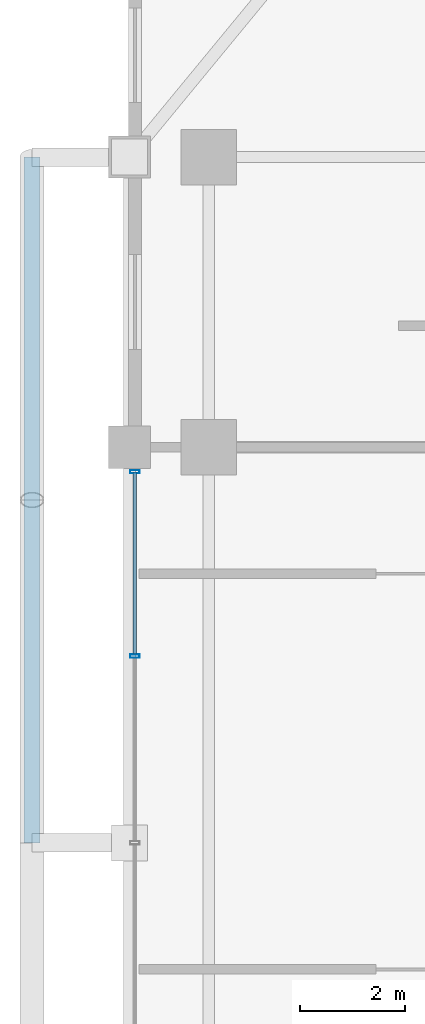
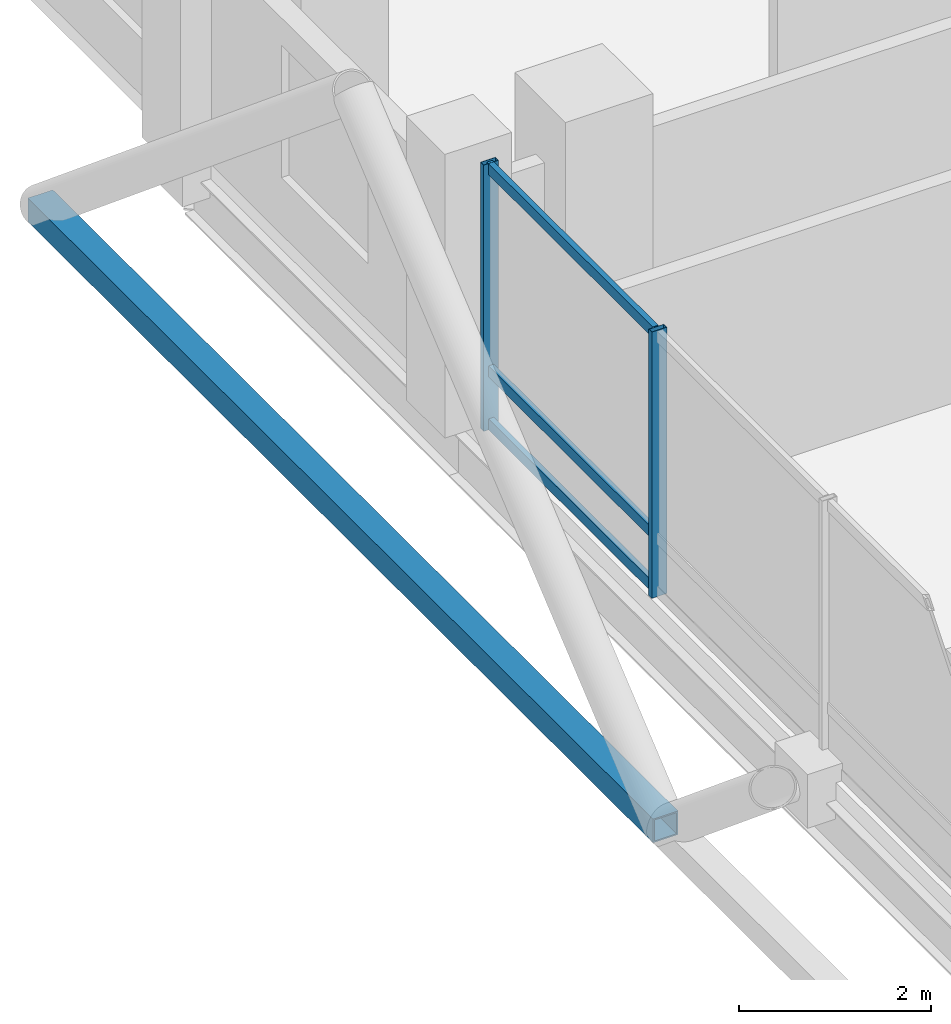
# One storey, part 9 of 26: 6 members, 1 element without a shape of its own.
"""IFC4 building model written with IfcOpenShell, lengths in metres."""

from ifc_helpers import new_model, si_unit, direction, frame, origin, origin_2d, place, context, subcontext, project, spatial, hollow_rectangle, extrude, material, layer, layer_set, material_profile, profile_set, type_object, element, aggregate, save


model = new_model("IFC4")

# Units and contexts
model_context = context("Model", 3, precision=1e-05, world=origin(), true_north=direction((0.0, 1.0)))
body_context = subcontext(model_context, "Body", "Model", "MODEL_VIEW")
ifc_project = project(units=[si_unit("LENGTHUNIT", "METRE"), si_unit("AREAUNIT", "SQUARE_METRE"), si_unit("VOLUMEUNIT", "CUBIC_METRE"), si_unit("PLANEANGLEUNIT", "RADIAN"), si_unit("MASSUNIT", "GRAM", prefix="KILO")], contexts=[model_context])

# Site, building, storey
site_placement = place(None, origin())
site = spatial("IfcSite", under=ifc_project, at=site_placement, CompositionType="ELEMENT")
building_placement = place(site_placement, origin())
building = spatial("IfcBuilding", under=site, at=building_placement, Name="Barlavira Tower and Art Museum", CompositionType="ELEMENT")
storey_placement = place(building_placement, frame((0.0, 0.0, 176.39990234375)))
storey = spatial("IfcBuildingStorey", under=building, at=storey_placement, Name="L45", CompositionType="ELEMENT", Elevation=176.39990234375)

# Curtain wall, members
ifc_material_1 = material(Name="Low-iron coastal laminated glass", Category="glass")
ifc_layer = layer(ifc_material_1, 0.199951171875, Name="Low-iron coastal laminated glass")
ifc_layer_set = layer_set([ifc_layer], Name="Low-iron coastal laminated glass")
curtain_wall_type = type_object("IfcCurtainWallType", Name="Pale-Metal Unitised Curtain Wall Zone 3", PredefinedType="NOTDEFINED", material=ifc_layer_set)
curtain_wall_placement = place(storey_placement, origin())
curtain_wall = element("IfcCurtainWall", 1, at=curtain_wall_placement, inside=storey, type_object=curtain_wall_type, Name="L45 Curtain Wall CW3-L45-W-B3", PredefinedType="NOTDEFINED")
ifc_material_2 = material(Name="Pale anodised aluminium", Category="aluminium")
ifc_material_profile_1 = material_profile(ifc_material_2, hollow_rectangle(XDim=0.06494140625, YDim=0.179931640625, WallThickness=0.00390625, at=origin_2d()), Name="ALU-MULL 65x180x4")
ifc_profile_set_1 = profile_set([ifc_material_profile_1], Name="Pale anodised aluminium")
member_type_1 = type_object("IfcMemberType", Name="Curtain Wall Pale-Metal Mullion 65x180", PredefinedType="MULLION", material=ifc_profile_set_1)
member_1_placement = place(storey_placement, frame((-18.39990234375, 7.034912109375, 0.0), z_axis=(0.0, 0.0, 1.0), x_axis=(0.0, -1.0, 0.0)))
member_1 = element("IfcMember", 2, at=member_1_placement, type_object=member_type_1, Name="CW3-L45-W-B3 Mullion 0", PredefinedType="MULLION", context=body_context, shape_type="SweptSolid", body=[
    extrude(hollow_rectangle(XDim=0.06494140625, YDim=0.179931640625, WallThickness=0.00390625, at=origin_2d()), origin(), (0.0, 0.0, 1.0), 3.380126953125),
])
member_2_placement = place(storey_placement, frame((-18.39990234375, 3.5400390625, 0.0), z_axis=(0.0, 0.0, 1.0), x_axis=(0.0, -1.0, 0.0)))
member_2 = element("IfcMember", 3, at=member_2_placement, type_object=member_type_1, Name="CW3-L45-W-B3 Mullion 1", PredefinedType="MULLION", context=body_context, shape_type="SweptSolid", body=[
    extrude(hollow_rectangle(XDim=0.06494140625, YDim=0.179931640625, WallThickness=0.00390625, at=origin_2d()), origin(), (0.0, 0.0, 1.0), 3.380126953125),
])
ifc_material_profile_2 = material_profile(ifc_material_2, hollow_rectangle(XDim=0.06494140625, YDim=0.139892578125, WallThickness=0.00390625, at=origin_2d()), Name="ALU-TRAN 65x140x4")
ifc_profile_set_2 = profile_set([ifc_material_profile_2], Name="Pale anodised aluminium")
member_type_2 = type_object("IfcMemberType", Name="Curtain Wall Pale-Metal Transom 65x140", PredefinedType="USERDEFINED", material=ifc_profile_set_2)
member_3_placement = place(storey_placement, frame((-18.39990234375, 7.034912109375, 0.070068359375), z_axis=(0.0, -1.0, 0.0), x_axis=(1.0, 0.0, 0.0)))
member_3 = element("IfcMember", 4, at=member_3_placement, type_object=member_type_2, Name="CW3-L45-W-B3 Transom 0.1", ObjectType="TRANSOM", PredefinedType="USERDEFINED", context=body_context, shape_type="SweptSolid", body=[
    extrude(hollow_rectangle(XDim=0.06494140625, YDim=0.139892578125, WallThickness=0.00390625, at=origin_2d()), origin(), (0.0, 0.0, 1.0), 3.449951171875),
])
member_4_placement = place(storey_placement, frame((-18.39990234375, 7.034912109375, 0.744140625), z_axis=(0.0, -1.0, 0.0), x_axis=(1.0, 0.0, 0.0)))
member_4 = element("IfcMember", 5, at=member_4_placement, type_object=member_type_2, Name="CW3-L45-W-B3 Transom 0.2", ObjectType="TRANSOM", PredefinedType="USERDEFINED", context=body_context, shape_type="SweptSolid", body=[
    extrude(hollow_rectangle(XDim=0.06494140625, YDim=0.139892578125, WallThickness=0.00390625, at=origin_2d()), origin(), (0.0, 0.0, 1.0), 3.449951171875),
])
member_5_placement = place(storey_placement, frame((-18.39990234375, 7.034912109375, 3.31005859375), z_axis=(0.0, -1.0, 0.0), x_axis=(1.0, 0.0, 0.0)))
member_5 = element("IfcMember", 6, at=member_5_placement, type_object=member_type_2, Name="CW3-L45-W-B3 Transom 0.3", ObjectType="TRANSOM", PredefinedType="USERDEFINED", context=body_context, shape_type="SweptSolid", body=[
    extrude(hollow_rectangle(XDim=0.06494140625, YDim=0.139892578125, WallThickness=0.00390625, at=origin_2d()), origin(), (0.0, 0.0, 1.0), 3.449951171875),
])
aggregate(curtain_wall, [member_1, member_2, member_3, member_4, member_5])

# Member
ifc_material_3 = material(Name="Steel S355", Category="steel")
ifc_material_profile_3 = material_profile(ifc_material_3, hollow_rectangle(XDim=0.300048828125, YDim=0.300048828125, WallThickness=0.01611328125, at=origin_2d()), Name="SHS 300x300x16.0")
ifc_profile_set_3 = profile_set([ifc_material_profile_3], Name="Steel S355")
member_type_3 = type_object("IfcMemberType", Name="Pale-Metal Upper Ring Strut SHS 300x300x16 Steel S355", PredefinedType="STRUT", material=ifc_profile_set_3)
member_6_placement = place(storey_placement, frame((-20.35009765625, 0.0, -0.119873046875), z_axis=(0.0, 1.0, 0.0), x_axis=(-1.0, 0.0, 0.0)))
element("IfcMember", 7, at=member_6_placement, inside=storey, type_object=member_type_3, Name="L45 Exoskeleton Ring Strut W", PredefinedType="STRUT", context=body_context, shape_type="SweptSolid", body=[
    extrude(hollow_rectangle(XDim=0.300048828125, YDim=0.300048828125, WallThickness=0.01611328125, at=origin_2d()), origin(), (0.0, 0.0, 1.0), 13.0),
])

save(model, "model.ifc")
